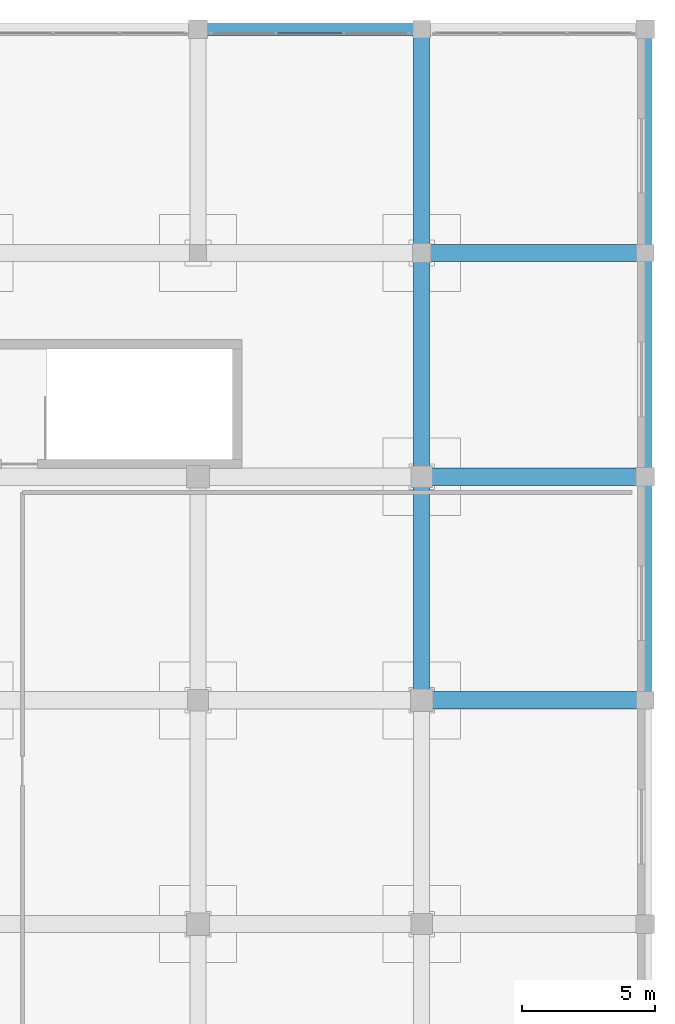
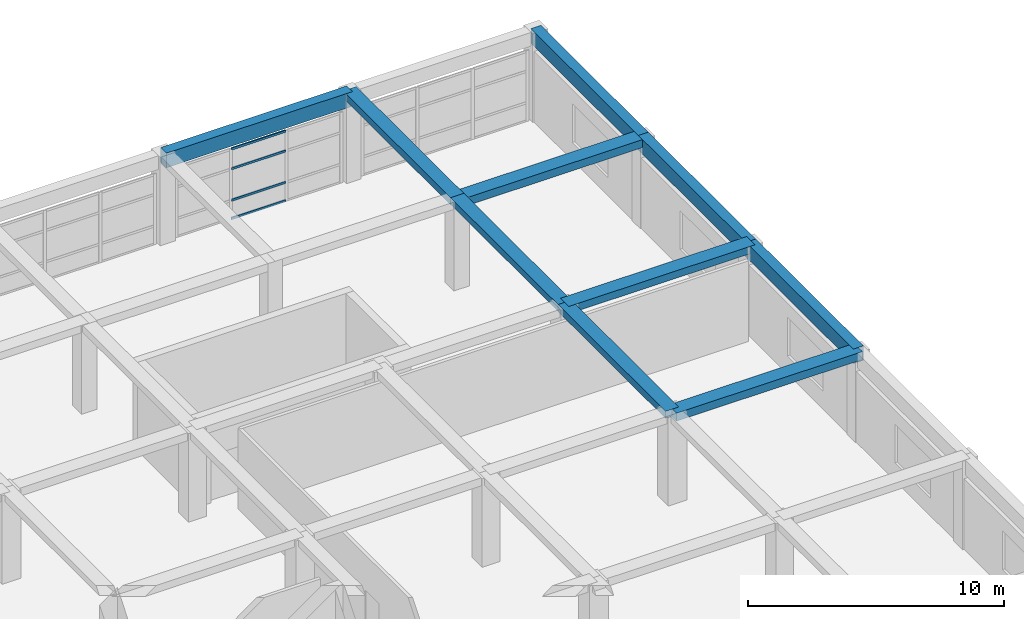
# One storey, part 63 of 85: 10 beams, 4 members, 1 element without a shape of its own.
"""IFC4 building model written with IfcOpenShell, lengths in metres."""

from ifc_helpers import new_model, si_unit, direction, frame, origin, origin_2d, place, context, subcontext, project, spatial, rectangle, hollow_rectangle, extrude, material, material_profile, profile_set, type_object, element, aggregate, save


model = new_model("IFC4")

# Units and contexts
model_context = context("Model", 3, precision=1e-05, world=origin(), true_north=direction((0.0, 1.0)))
body_context = subcontext(model_context, "Body", "Model", "MODEL_VIEW")
ifc_project = project(units=[si_unit("LENGTHUNIT", "METRE"), si_unit("AREAUNIT", "SQUARE_METRE"), si_unit("VOLUMEUNIT", "CUBIC_METRE"), si_unit("PLANEANGLEUNIT", "RADIAN"), si_unit("MASSUNIT", "GRAM", prefix="KILO")], contexts=[model_context])

# Site, building, storey
site_placement = place(None, origin())
site = spatial("IfcSite", under=ifc_project, at=site_placement, CompositionType="ELEMENT")
building_placement = place(site_placement, origin())
building = spatial("IfcBuilding", under=site, at=building_placement, Name="Almacenes y Pasaje Nevantli", CompositionType="ELEMENT")
storey_placement = place(building_placement, frame((0.0, 0.0, 22.199951171875)))
storey = spatial("IfcBuildingStorey", under=building, at=storey_placement, Name="L05", CompositionType="ELEMENT", Elevation=22.199951171875)

# Beams
ifc_material_1 = material(Name="Concrete C35/45", Category="concrete")
ifc_material_profile_1 = material_profile(ifc_material_1, rectangle(XDim=0.449951171875, YDim=0.699951171875, at=origin_2d()), Name="RC-BM-450x700")
ifc_profile_set_1 = profile_set([ifc_material_profile_1], Name="Concrete C35/45")
beam_type_1 = type_object("IfcBeamType", Name="BM-RC-450x700", PredefinedType="SPANDREL", material=ifc_profile_set_1)
for number, where, z_axis, x_axis, name in (
    (1, (151.199951171875, 117.60009765625, 3.8701171875), (1.0, 0.0, 0.0), (0.0, 1.0, 0.0), "L05 East-West Reinforced Concrete Beam #3420"),
    (2, (168.0, 92.39990234375, 3.8701171875), (0.0, 1.0, 0.0), (-1.0, 0.0, 0.0), "L05 North-South Reinforced Concrete Beam #3570"),
):
    element("IfcBeam", number, at=place(storey_placement, frame(where, z_axis=z_axis, x_axis=x_axis)), inside=storey, type_object=beam_type_1, Name=name, PredefinedType="SPANDREL", context=body_context, shape_type="SweptSolid", body=[
        extrude(rectangle(XDim=0.449951171875, YDim=0.699951171875, at=origin_2d()), origin(), (0.0, 0.0, 1.0), 8.400146484375),
    ])
beam_1_placement = place(storey_placement, frame((168.0, 100.800048828125, 3.8701171875), z_axis=(0.0, 1.0, 0.0), x_axis=(-1.0, 0.0, 0.0)))
element("IfcBeam", 3, at=beam_1_placement, inside=storey, type_object=beam_type_1, Name="L05 North-South Reinforced Concrete Beam #3571", PredefinedType="SPANDREL", context=body_context, shape_type="SweptSolid", body=[
    extrude(rectangle(XDim=0.449951171875, YDim=0.699951171875, at=origin_2d()), origin(), (0.0, 0.0, 1.0), 8.39990234375),
])
beam_2_placement = place(storey_placement, frame((168.0, 109.199951171875, 3.8701171875), z_axis=(0.0, 1.0, 0.0), x_axis=(-1.0, 0.0, 0.0)))
element("IfcBeam", 4, at=beam_2_placement, inside=storey, type_object=beam_type_1, Name="L05 North-South Reinforced Concrete Beam #3572", PredefinedType="SPANDREL", context=body_context, shape_type="SweptSolid", body=[
    extrude(rectangle(XDim=0.449951171875, YDim=0.699951171875, at=origin_2d()), origin(), (0.0, 0.0, 1.0), 8.400146484375),
])
ifc_material_2 = material(Name="Concrete C35/45", Category="concrete")
ifc_material_profile_2 = material_profile(ifc_material_2, rectangle(XDim=0.60009765625, YDim=0.320068359375, at=origin_2d()), Name="RC-BM-600x320")
ifc_profile_set_2 = profile_set([ifc_material_profile_2], Name="Concrete C35/45")
beam_type_2 = type_object("IfcBeamType", Name="BM-RC-600x320", PredefinedType="BEAM", material=ifc_profile_set_2)
beam_3_placement = place(storey_placement, frame((159.60009765625, 100.800048828125, 4.06005859375), z_axis=(0.0, 1.0, 0.0), x_axis=(-1.0, 0.0, 0.0)))
element("IfcBeam", 5, at=beam_3_placement, inside=storey, type_object=beam_type_2, Name="L05 North-South Reinforced Concrete Beam #3557", PredefinedType="BEAM", context=body_context, shape_type="SweptSolid", body=[
    extrude(rectangle(XDim=0.60009765625, YDim=0.320068359375, at=origin_2d()), origin(), (0.0, 0.0, 1.0), 8.39990234375),
])
ifc_material_3 = material(Name="Concrete C35/45", Category="concrete")
ifc_material_profile_3 = material_profile(ifc_material_3, rectangle(XDim=0.60009765625, YDim=0.340087890625, at=origin_2d()), Name="RC-BM-600x340")
ifc_profile_set_3 = profile_set([ifc_material_profile_3], Name="Concrete C35/45")
beam_type_3 = type_object("IfcBeamType", Name="BM-RC-600x340", PredefinedType="BEAM", material=ifc_profile_set_3)
for number, where, z_axis, x_axis, name in (
    (6, (159.60009765625, 92.39990234375, 4.050048828125), (0.0, 1.0, 0.0), (-1.0, 0.0, 0.0), "L05 North-South Reinforced Concrete Beam #3556"),
    (7, (159.60009765625, 109.199951171875, 4.050048828125), (0.0, 1.0, 0.0), (-1.0, 0.0, 0.0), "L05 North-South Reinforced Concrete Beam #3558"),
):
    element("IfcBeam", number, at=place(storey_placement, frame(where, z_axis=z_axis, x_axis=x_axis)), inside=storey, type_object=beam_type_3, Name=name, PredefinedType="BEAM", context=body_context, shape_type="SweptSolid", body=[
        extrude(rectangle(XDim=0.60009765625, YDim=0.340087890625, at=origin_2d()), origin(), (0.0, 0.0, 1.0), 8.400146484375),
    ])
ifc_material_4 = material(Name="Concrete C35/45", Category="concrete")
ifc_material_profile_4 = material_profile(ifc_material_4, rectangle(XDim=0.64990234375, YDim=0.35009765625, at=origin_2d()), Name="RC-BM-650x350")
ifc_profile_set_4 = profile_set([ifc_material_profile_4], Name="Concrete C35/45")
beam_type_4 = type_object("IfcBeamType", Name="BM-RC-650x350", PredefinedType="BEAM", material=ifc_profile_set_4)
beam_4_placement = place(storey_placement, frame((159.60009765625, 100.800048828125, 4.045166015625), z_axis=(1.0, 0.0, 0.0), x_axis=(0.0, 1.0, 0.0)))
element("IfcBeam", 8, at=beam_4_placement, inside=storey, type_object=beam_type_4, Name="L05 East-West Reinforced Concrete Beam #3387", PredefinedType="BEAM", context=body_context, shape_type="SweptSolid", body=[
    extrude(rectangle(XDim=0.64990234375, YDim=0.35009765625, at=origin_2d()), origin(), (0.0, 0.0, 1.0), 8.39990234375),
])
ifc_material_5 = material(Name="Concrete C35/45", Category="concrete")
ifc_material_profile_5 = material_profile(ifc_material_5, rectangle(XDim=0.64990234375, YDim=0.3798828125, at=origin_2d()), Name="RC-BM-650x380")
ifc_profile_set_5 = profile_set([ifc_material_profile_5], Name="Concrete C35/45")
beam_type_5 = type_object("IfcBeamType", Name="BM-RC-650x380", PredefinedType="BEAM", material=ifc_profile_set_5)
for number, where, z_axis, x_axis, name in (
    (9, (159.60009765625, 92.39990234375, 4.030029296875), (1.0, 0.0, 0.0), (0.0, 1.0, 0.0), "L05 East-West Reinforced Concrete Beam #3370"),
    (10, (159.60009765625, 109.199951171875, 4.030029296875), (1.0, 0.0, 0.0), (0.0, 1.0, 0.0), "L05 East-West Reinforced Concrete Beam #3404"),
):
    element("IfcBeam", number, at=place(storey_placement, frame(where, z_axis=z_axis, x_axis=x_axis)), inside=storey, type_object=beam_type_5, Name=name, PredefinedType="BEAM", context=body_context, shape_type="SweptSolid", body=[
        extrude(rectangle(XDim=0.64990234375, YDim=0.3798828125, at=origin_2d()), origin(), (0.0, 0.0, 1.0), 8.39990234375),
    ])

# Curtain wall, members
ifc_material_6 = material(Name="Thermally Broken Aluminium and Low-E Glass", Category="aluminium")
curtain_wall_type = type_object("IfcCurtainWallType", Name="CW-UNIT-PODIUM", PredefinedType="USERDEFINED", material=ifc_material_6)
curtain_wall_placement = place(storey_placement, origin())
curtain_wall = element("IfcCurtainWall", 11, at=curtain_wall_placement, inside=storey, type_object=curtain_wall_type, Name="L05 Sky-Lobby North Curtain Wall Bay 19", ObjectType="UNITIZED CURTAIN WALL", PredefinedType="USERDEFINED")
ifc_material_7 = material(Name="Thermally Broken Anodized Aluminium", Category="aluminium")
ifc_material_profile_6 = material_profile(ifc_material_7, hollow_rectangle(XDim=0.054931640625, YDim=0.10498046875, WallThickness=0.003173828125, at=origin_2d()), Name="ALU-TRN-55x105")
ifc_profile_set_6 = profile_set([ifc_material_profile_6], Name="Thermally Broken Anodized Aluminium")
member_type = type_object("IfcMemberType", Name="CW-TRN-120", PredefinedType="USERDEFINED", material=ifc_profile_set_6)
member_1_placement = place(storey_placement, frame((154.177490234375, 117.449951171875, 0.027587890625), z_axis=(1.0, 0.0, 0.0), x_axis=(0.0, 1.0, 0.0)))
member_1 = element("IfcMember", 12, at=member_1_placement, type_object=member_type, Name="CW-L05-092 transom 2.1", ObjectType="TRANSOM", PredefinedType="USERDEFINED", context=body_context, shape_type="SweptSolid", body=[
    extrude(hollow_rectangle(XDim=0.054931640625, YDim=0.10498046875, WallThickness=0.003173828125, at=origin_2d()), origin(), (0.0, 0.0, 1.0), 2.445068359375),
])
member_2_placement = place(storey_placement, frame((154.177490234375, 117.449951171875, 0.900146484375), z_axis=(1.0, 0.0, 0.0), x_axis=(0.0, 1.0, 0.0)))
member_2 = element("IfcMember", 13, at=member_2_placement, type_object=member_type, Name="CW-L05-092 transom 2.2", ObjectType="TRANSOM", PredefinedType="USERDEFINED", context=body_context, shape_type="SweptSolid", body=[
    extrude(hollow_rectangle(XDim=0.054931640625, YDim=0.10498046875, WallThickness=0.003173828125, at=origin_2d()), origin(), (0.0, 0.0, 1.0), 2.445068359375),
])
member_3_placement = place(storey_placement, frame((154.177490234375, 117.449951171875, 2.400146484375), z_axis=(1.0, 0.0, 0.0), x_axis=(0.0, 1.0, 0.0)))
member_3 = element("IfcMember", 14, at=member_3_placement, type_object=member_type, Name="CW-L05-092 transom 2.3", ObjectType="TRANSOM", PredefinedType="USERDEFINED", context=body_context, shape_type="SweptSolid", body=[
    extrude(hollow_rectangle(XDim=0.054931640625, YDim=0.10498046875, WallThickness=0.003173828125, at=origin_2d()), origin(), (0.0, 0.0, 1.0), 2.445068359375),
])
member_4_placement = place(storey_placement, frame((154.177490234375, 117.449951171875, 3.342529296875), z_axis=(1.0, 0.0, 0.0), x_axis=(0.0, 1.0, 0.0)))
member_4 = element("IfcMember", 15, at=member_4_placement, type_object=member_type, Name="CW-L05-092 transom 2.4", ObjectType="TRANSOM", PredefinedType="USERDEFINED", context=body_context, shape_type="SweptSolid", body=[
    extrude(hollow_rectangle(XDim=0.054931640625, YDim=0.10498046875, WallThickness=0.003173828125, at=origin_2d()), origin(), (0.0, 0.0, 1.0), 2.445068359375),
])
aggregate(curtain_wall, [member_1, member_2, member_3, member_4])

save(model, "model.ifc")
